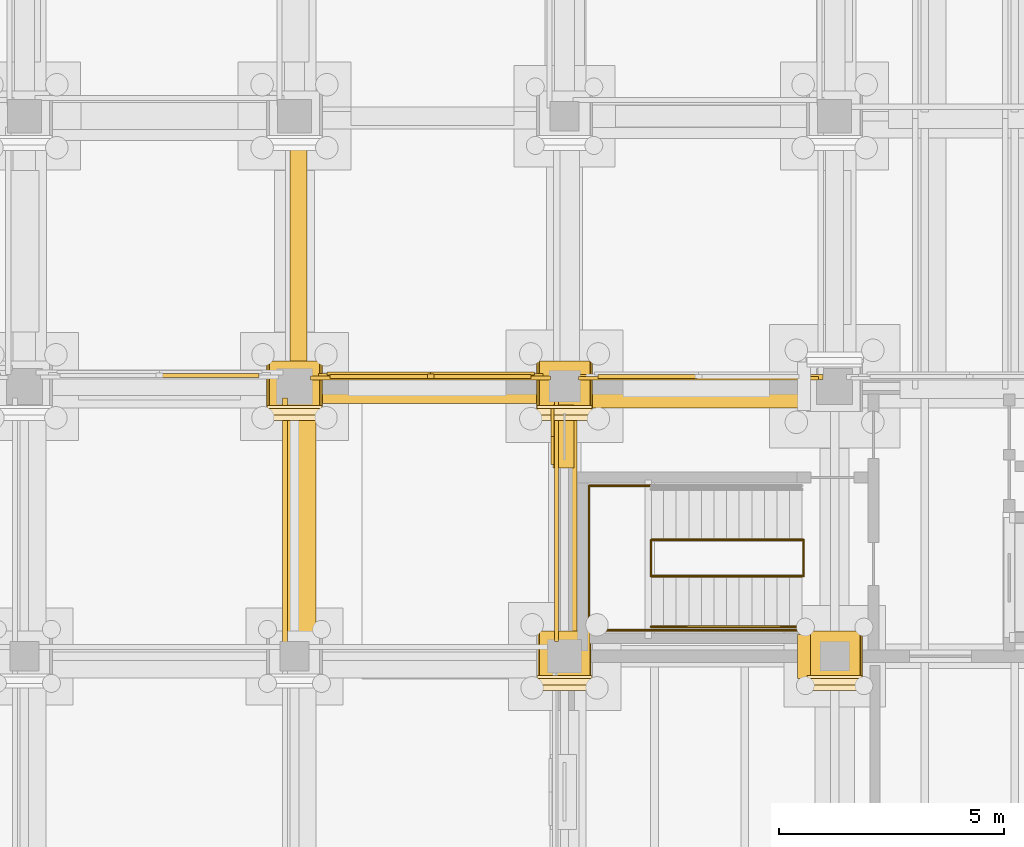
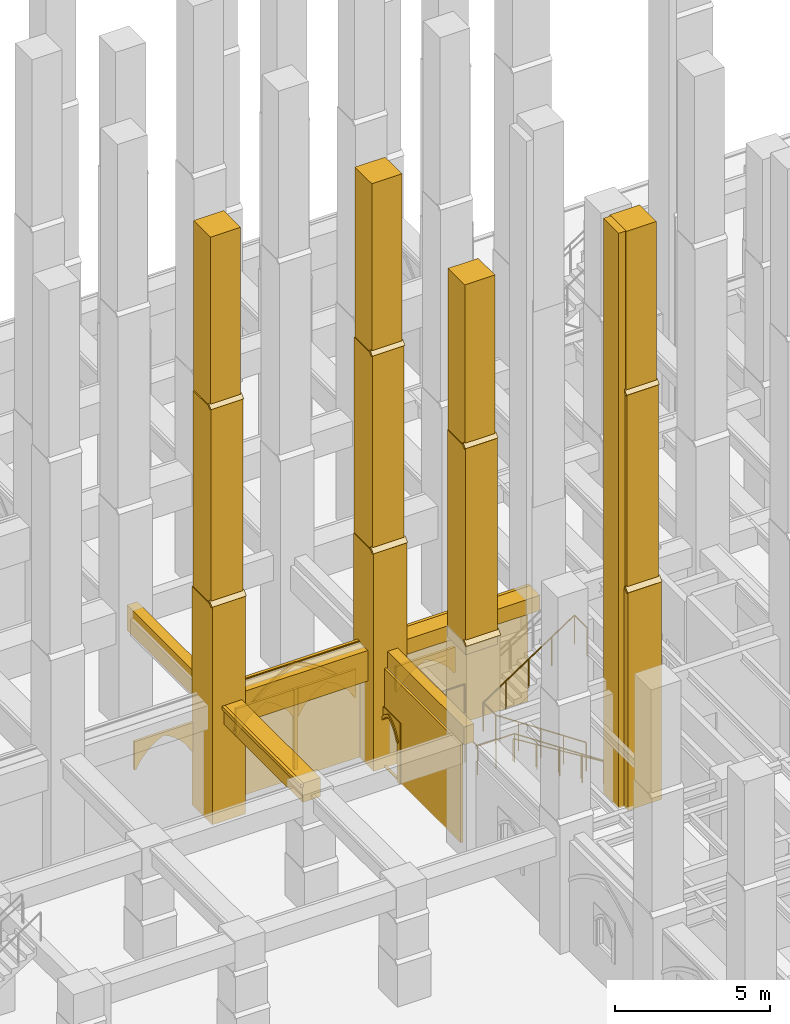
# One storey, part 93 of 135: 39 coverings, 4 railings.
"""IFC4 building model written with IfcOpenShell, lengths in metres."""

from ifc_helpers import new_model, si_unit, direction, frame, origin, origin_2d, place, context, subcontext, project, spatial, polyline, rectangle, circle, outline, extrude, material, type_object, element, save


model = new_model("IFC4")

# Units and contexts
model_context = context("Model", 3, precision=1e-05, world=origin(), true_north=direction((0.0, 1.0)))
body_context = subcontext(model_context, "Body", "Model", "MODEL_VIEW")
ifc_project = project(units=[si_unit("LENGTHUNIT", "METRE"), si_unit("AREAUNIT", "SQUARE_METRE"), si_unit("VOLUMEUNIT", "CUBIC_METRE"), si_unit("PLANEANGLEUNIT", "RADIAN"), si_unit("MASSUNIT", "GRAM", prefix="KILO")], contexts=[model_context])

# Site, building, storey
site_placement = place(None, origin())
site = spatial("IfcSite", under=ifc_project, at=site_placement, CompositionType="ELEMENT")
building_placement = place(site_placement, origin())
building = spatial("IfcBuilding", under=site, at=building_placement, Name="Cumevento Cable Car Station", CompositionType="ELEMENT")
storey_placement = place(building_placement, origin())
storey = spatial("IfcBuildingStorey", under=building, at=storey_placement, Name="L01", CompositionType="ELEMENT", Elevation=0.0)

# Railings
ifc_material_1 = material(Name="Painted Galvanised Architectural Steel", Category="steel")
railing_type_1 = type_object("IfcRailingType", Name="Stair Guardrail GR-S115", PredefinedType="GUARDRAIL", material=ifc_material_1)
railing_1_placement = place(storey_placement, frame((63.280029296875, 40.780029296875, 0.0)))
element("IfcRailing", 1, at=railing_1_placement, inside=storey, type_object=railing_type_1, Name="Stair Well Inner Guardrail ST-01-L01", PredefinedType="GUARDRAIL", context=body_context, shape_type="SweptSolid", body=[
    extrude(circle(Radius=0.02392578125, at=origin_2d()), frame((0.0, 0.0, 1.1259765625), z_axis=(-0.830915400975, 0.0, 0.556398774641), x_axis=(0.0, -1.0, 0.0)), (0.0, 0.0, 1.0), 4.0439453125),
    extrude(circle(Radius=0.02392578125, at=origin_2d()), frame((-3.360107421875, 0.0, 3.3759765625), z_axis=(0.0, 1.0, 0.0), x_axis=(-1.0, 0.0, 0.0)), (0.0, 0.0, 1.0), 0.81005859375),
    extrude(circle(Radius=0.02392578125, at=origin_2d()), frame((-3.360107421875, 0.81005859375, 3.3759765625), z_axis=(0.833193183746, 0.0, 0.552982023722), x_axis=(0.0, 1.0, 0.0)), (0.0, 0.0, 1.0), 4.06884765625),
    extrude(circle(Radius=0.02392578125, at=origin_2d()), frame((0.030029296875, 0.81005859375, 5.6259765625), z_axis=(0.0, -1.0, 0.0), x_axis=(1.0, 0.0, 0.0)), (0.0, 0.0, 1.0), 0.81005859375),
    extrude(circle(Radius=0.02001953125, at=origin_2d()), origin(), (0.0, 0.0, 1.0), 1.101806640625),
    extrude(circle(Radius=0.02001953125, at=origin_2d()), frame((-0.840087890625, 0.0, 0.5625)), (0.0, 0.0, 1.0), 1.101806640625),
    extrude(circle(Radius=0.02001953125, at=origin_2d()), frame((-1.68017578125, 0.0, 1.125)), (0.0, 0.0, 1.0), 1.101806640625),
    extrude(circle(Radius=0.02001953125, at=origin_2d()), frame((-2.52001953125, 0.0, 1.6875)), (0.0, 0.0, 1.0), 1.101806640625),
    extrude(circle(Radius=0.02001953125, at=origin_2d()), frame((-3.360107421875, 0.0, 2.25)), (0.0, 0.0, 1.0), 1.101806640625),
    extrude(circle(Radius=0.02001953125, at=origin_2d()), frame((-3.360107421875, 0.81005859375, 2.25)), (0.0, 0.0, 1.0), 1.101806640625),
    extrude(circle(Radius=0.02001953125, at=origin_2d()), frame((-2.5126953125, 0.81005859375, 2.8125)), (0.0, 0.0, 1.0), 1.101806640625),
    extrude(circle(Radius=0.02001953125, at=origin_2d()), frame((-1.6650390625, 0.81005859375, 3.375)), (0.0, 0.0, 1.0), 1.101806640625),
    extrude(circle(Radius=0.02001953125, at=origin_2d()), frame((-0.8173828125, 0.81005859375, 3.9375)), (0.0, 0.0, 1.0), 1.101806640625),
    extrude(circle(Radius=0.02001953125, at=origin_2d()), frame((0.030029296875, 0.81005859375, 4.5)), (0.0, 0.0, 1.0), 1.101806640625),
    extrude(circle(Radius=0.02001953125, at=origin_2d()), frame((0.030029296875, 0.0, 4.5)), (0.0, 0.0, 1.0), 1.101806640625),
])
railing_2_placement = place(storey_placement, frame((59.919921875, 39.580078125, 2.25)))
element("IfcRailing", 2, at=railing_2_placement, inside=storey, type_object=railing_type_1, Name="Stair Half-Landing Guardrail ST-01-L01", PredefinedType="GUARDRAIL", context=body_context, shape_type="SweptSolid", body=[
    extrude(circle(Radius=0.02392578125, at=origin_2d()), frame((0.0, 0.0, 1.1259765625), z_axis=(-1.0, 0.0, 0.0), x_axis=(0.0, -1.0, 0.0)), (0.0, 0.0, 1.0), 1.3798828125),
    extrude(circle(Radius=0.02392578125, at=origin_2d()), frame((-1.3798828125, 0.0, 1.1259765625), z_axis=(0.0, 1.0, 0.0), x_axis=(-1.0, 0.0, 0.0)), (0.0, 0.0, 1.0), 3.2099609375),
    extrude(circle(Radius=0.02392578125, at=origin_2d()), frame((-1.3798828125, 3.2099609375, 1.1259765625), z_axis=(1.0, 0.0, 0.0), x_axis=(0.0, 1.0, 0.0)), (0.0, 0.0, 1.0), 1.3798828125),
    extrude(circle(Radius=0.02001953125, at=origin_2d()), origin(), (0.0, 0.0, 1.0), 1.101806640625),
    extrude(circle(Radius=0.02001953125, at=origin_2d()), frame((-0.68994140625, 0.0, 0.0)), (0.0, 0.0, 1.0), 1.101806640625),
    extrude(circle(Radius=0.02001953125, at=origin_2d()), frame((-1.3798828125, 0.0, 0.0)), (0.0, 0.0, 1.0), 1.101806640625),
    extrude(circle(Radius=0.02001953125, at=origin_2d()), frame((-1.3798828125, 0.802490234375, 0.0)), (0.0, 0.0, 1.0), 1.101806640625),
    extrude(circle(Radius=0.02001953125, at=origin_2d()), frame((-1.3798828125, 1.60498046875, 0.0)), (0.0, 0.0, 1.0), 1.101806640625),
    extrude(circle(Radius=0.02001953125, at=origin_2d()), frame((-1.3798828125, 2.407470703125, 0.0)), (0.0, 0.0, 1.0), 1.101806640625),
    extrude(circle(Radius=0.02001953125, at=origin_2d()), frame((-1.3798828125, 3.2099609375, 0.0)), (0.0, 0.0, 1.0), 1.101806640625),
    extrude(circle(Radius=0.02001953125, at=origin_2d()), frame((-0.68994140625, 3.2099609375, 0.0)), (0.0, 0.0, 1.0), 1.101806640625),
    extrude(circle(Radius=0.02001953125, at=origin_2d()), frame((0.0, 3.2099609375, 0.0)), (0.0, 0.0, 1.0), 1.101806640625),
])
railing_3_placement = place(storey_placement, frame((63.280029296875, 39.580078125, 0.0)))
element("IfcRailing", 3, at=railing_3_placement, inside=storey, type_object=railing_type_1, Name="Stair Outer Guardrail ST-01-L01 F1", PredefinedType="GUARDRAIL", context=body_context, shape_type="SweptSolid", body=[
    extrude(circle(Radius=0.02392578125, at=origin_2d()), frame((0.0, 0.0, 1.1259765625), z_axis=(-0.830915400975, 0.0, 0.556398774641), x_axis=(0.0, -1.0, 0.0)), (0.0, 0.0, 1.0), 4.0439453125),
    extrude(circle(Radius=0.02001953125, at=origin_2d()), origin(), (0.0, 0.0, 1.0), 1.101806640625),
    extrude(circle(Radius=0.02001953125, at=origin_2d()), frame((-0.840087890625, 0.0, 0.5625)), (0.0, 0.0, 1.0), 1.101806640625),
    extrude(circle(Radius=0.02001953125, at=origin_2d()), frame((-1.68017578125, 0.0, 1.125)), (0.0, 0.0, 1.0), 1.101806640625),
    extrude(circle(Radius=0.02001953125, at=origin_2d()), frame((-2.52001953125, 0.0, 1.6875)), (0.0, 0.0, 1.0), 1.101806640625),
    extrude(circle(Radius=0.02001953125, at=origin_2d()), frame((-3.360107421875, 0.0, 2.25)), (0.0, 0.0, 1.0), 1.101806640625),
])
ifc_material_2 = material(Name="Brushed Stainless Steel Handrail Tube", Category="steel")
railing_type_2 = type_object("IfcRailingType", Name="Stair Handrail HR-090", PredefinedType="HANDRAIL", material=ifc_material_2)
railing_4_placement = place(storey_placement, frame((63.280029296875, 39.659912109375, 0.17626953125)))
element("IfcRailing", 4, at=railing_4_placement, inside=storey, type_object=railing_type_2, Name="Stair Pitch Handrail ST-01-L01 F1", PredefinedType="HANDRAIL", context=body_context, shape_type="SweptSolid", body=[
    extrude(circle(Radius=0.02099609375, at=origin_2d()), frame((0.0, 0.0, 0.87890625), z_axis=(-0.850623216509, 0.0, 0.525775754039), x_axis=(0.0, -1.0, 0.0)), (0.0, 0.0, 1.0), 3.9501953125),
    extrude(circle(Radius=0.01611328125, at=origin_2d()), origin(), (0.0, 0.0, 1.0), 0.85791015625),
    extrude(circle(Radius=0.01611328125, at=origin_2d()), frame((-0.840087890625, 0.0, 0.519287109375)), (0.0, 0.0, 1.0), 0.85791015625),
    extrude(circle(Radius=0.01611328125, at=origin_2d()), frame((-1.68017578125, 0.0, 1.03857421875)), (0.0, 0.0, 1.0), 0.85791015625),
    extrude(circle(Radius=0.01611328125, at=origin_2d()), frame((-2.52001953125, 0.0, 1.5576171875)), (0.0, 0.0, 1.0), 0.85791015625),
    extrude(circle(Radius=0.01611328125, at=origin_2d()), frame((-3.360107421875, 0.0, 2.076904296875)), (0.0, 0.0, 1.0), 0.85791015625),
])

# Coverings
ifc_material_3 = material(Name="Gnaisse Facoidal Stone Ashlar 85 MPa", Category="masonry")
covering_type = type_object("IfcCoveringType", Name="Gnaisse Ashlar Cladding CV-CL01", PredefinedType="CLADDING", material=ifc_material_3)
covering_1_placement = place(storey_placement, frame((52.0, 44.909912109375, -0.06005859375), z_axis=(0.0, 0.0, 1.0), x_axis=(1.0, 0.0, 0.0)))
element("IfcCovering", 5, at=covering_1_placement, inside=storey, type_object=covering_type, Name="Stepped Gothic Stone Buttress Tier 1 bt:52.0:45.0", PredefinedType="CLADDING", context=body_context, shape_type="SweptSolid", body=[
    extrude(rectangle(XDim=1.239990234375, YDim=1.300048828125, at=origin_2d()), origin(), (0.0, 0.0, 1.0), 8.595703125),
])
covering_2_placement = place(storey_placement, frame((51.360107421875, 44.239990234375, 8.515625), z_axis=(0.0, -0.711135781079, 0.703054692658), x_axis=(1.0, 0.0, 0.0)))
element("IfcCovering", 6, at=covering_2_placement, inside=storey, type_object=covering_type, Name="Gothic Buttress Sloped Stone Weathering 1 bt:52.0:45.0", PredefinedType="CLADDING", context=body_context, shape_type="SweptSolid", body=[
    extrude(outline(polyline([(0.0, 0.0), (1.27978515625, 0.0), (1.27978515625, 0.24169083397703695), (0.0, 0.24169083397703695), (0.0, 0.0)])), origin(), (0.0, 0.0, -1.0), 0.090087890625),
])
covering_3_placement = place(storey_placement, frame((52.0, 44.969970703125, 8.0830078125), z_axis=(0.0, 0.0, 1.0), x_axis=(1.0, 0.0, 0.0)))
element("IfcCovering", 7, at=covering_3_placement, inside=storey, type_object=covering_type, Name="Stepped Gothic Stone Buttress Tier 2 bt:52.0:45.0", PredefinedType="CLADDING", context=body_context, shape_type="SweptSolid", body=[
    extrude(rectangle(XDim=1.179931640625, YDim=1.179931640625, at=origin_2d()), origin(), (0.0, 0.0, 1.0), 8.143310546875),
])
covering_4_placement = place(storey_placement, frame((51.389892578125, 44.360107421875, 16.206298828125), z_axis=(0.0, -0.714474823669, 0.699661151089), x_axis=(1.0, 0.0, 0.0)))
element("IfcCovering", 8, at=covering_4_placement, inside=storey, type_object=covering_type, Name="Gothic Buttress Sloped Stone Weathering 2 bt:52.0:45.0", PredefinedType="CLADDING", context=body_context, shape_type="SweptSolid", body=[
    extrude(outline(polyline([(0.0, 0.0), (1.22021484375, 0.0), (1.22021484375, 0.21424991728737655), (0.0, 0.21424991728737655), (0.0, 0.0)])), origin(), (0.0, 0.0, -1.0), 0.090087890625),
])
covering_5_placement = place(storey_placement, frame((52.0, 45.02001953125, 15.77392578125), z_axis=(0.0, 0.0, 1.0), x_axis=(1.0, 0.0, 0.0)))
element("IfcCovering", 9, at=covering_5_placement, inside=storey, type_object=covering_type, Name="Stepped Gothic Stone Buttress Tier 3 bt:52.0:45.0", PredefinedType="CLADDING", context=body_context, shape_type="SweptSolid", body=[
    extrude(rectangle(XDim=1.1201171875, YDim=1.080078125, at=origin_2d()), origin(), (0.0, 0.0, 1.0), 7.1259765625),
])
covering_6_placement = place(storey_placement, frame((57.360107421875, 38.239990234375, 8.515625), z_axis=(0.0, -0.711135781079, 0.703054692658), x_axis=(1.0, 0.0, 0.0)))
element("IfcCovering", 10, at=covering_6_placement, inside=storey, type_object=covering_type, Name="Gothic Buttress Sloped Stone Weathering 1 bt:58.0:39.0", PredefinedType="CLADDING", context=body_context, shape_type="SweptSolid", body=[
    extrude(outline(polyline([(0.0, 0.0), (1.27978515625, 0.0), (1.27978515625, 0.24169083397703695), (0.0, 0.24169083397703695), (0.0, 0.0)])), origin(), (0.0, 0.0, -1.0), 0.090087890625),
])
covering_7_placement = place(storey_placement, frame((58.0, 38.969970703125, 8.0830078125), z_axis=(0.0, 0.0, 1.0), x_axis=(1.0, 0.0, 0.0)))
element("IfcCovering", 11, at=covering_7_placement, inside=storey, type_object=covering_type, Name="Stepped Gothic Stone Buttress Tier 2 bt:58.0:39.0", PredefinedType="CLADDING", context=body_context, shape_type="SweptSolid", body=[
    extrude(rectangle(XDim=1.179931640625, YDim=1.179931640625, at=origin_2d()), origin(), (0.0, 0.0, 1.0), 8.143310546875),
])
covering_8_placement = place(storey_placement, frame((57.389892578125, 38.360107421875, 16.206298828125), z_axis=(0.0, -0.714474823669, 0.699661151089), x_axis=(1.0, 0.0, 0.0)))
element("IfcCovering", 12, at=covering_8_placement, inside=storey, type_object=covering_type, Name="Gothic Buttress Sloped Stone Weathering 2 bt:58.0:39.0", PredefinedType="CLADDING", context=body_context, shape_type="SweptSolid", body=[
    extrude(outline(polyline([(0.0, 0.0), (1.22021484375, 0.0), (1.22021484375, 0.21424991728737655), (0.0, 0.21424991728737655), (0.0, 0.0)])), origin(), (0.0, 0.0, -1.0), 0.090087890625),
])
covering_9_placement = place(storey_placement, frame((58.0, 39.02001953125, 15.77392578125), z_axis=(0.0, 0.0, 1.0), x_axis=(1.0, 0.0, 0.0)))
element("IfcCovering", 13, at=covering_9_placement, inside=storey, type_object=covering_type, Name="Stepped Gothic Stone Buttress Tier 3 bt:58.0:39.0", PredefinedType="CLADDING", context=body_context, shape_type="SweptSolid", body=[
    extrude(rectangle(XDim=1.1201171875, YDim=1.080078125, at=origin_2d()), origin(), (0.0, 0.0, 1.0), 6.785888671875),
])
covering_10_placement = place(storey_placement, frame((58.0, 44.909912109375, -0.06005859375), z_axis=(0.0, 0.0, 1.0), x_axis=(1.0, 0.0, 0.0)))
element("IfcCovering", 14, at=covering_10_placement, inside=storey, type_object=covering_type, Name="Stepped Gothic Stone Buttress Tier 1 bt:58.0:45.0", PredefinedType="CLADDING", context=body_context, shape_type="SweptSolid", body=[
    extrude(rectangle(XDim=1.239990234375, YDim=1.300048828125, at=origin_2d()), origin(), (0.0, 0.0, 1.0), 8.595703125),
])
covering_11_placement = place(storey_placement, frame((57.360107421875, 44.239990234375, 8.515625), z_axis=(0.0, -0.711135781079, 0.703054692658), x_axis=(1.0, 0.0, 0.0)))
element("IfcCovering", 15, at=covering_11_placement, inside=storey, type_object=covering_type, Name="Gothic Buttress Sloped Stone Weathering 1 bt:58.0:45.0", PredefinedType="CLADDING", context=body_context, shape_type="SweptSolid", body=[
    extrude(outline(polyline([(0.0, 0.0), (1.27978515625, 0.0), (1.27978515625, 0.24169083397703695), (0.0, 0.24169083397703695), (0.0, 0.0)])), origin(), (0.0, 0.0, -1.0), 0.090087890625),
])
covering_12_placement = place(storey_placement, frame((58.0, 44.969970703125, 8.0830078125), z_axis=(0.0, 0.0, 1.0), x_axis=(1.0, 0.0, 0.0)))
element("IfcCovering", 16, at=covering_12_placement, inside=storey, type_object=covering_type, Name="Stepped Gothic Stone Buttress Tier 2 bt:58.0:45.0", PredefinedType="CLADDING", context=body_context, shape_type="SweptSolid", body=[
    extrude(rectangle(XDim=1.179931640625, YDim=1.179931640625, at=origin_2d()), origin(), (0.0, 0.0, 1.0), 8.143310546875),
])
covering_13_placement = place(storey_placement, frame((57.389892578125, 44.360107421875, 16.206298828125), z_axis=(0.0, -0.714474823669, 0.699661151089), x_axis=(1.0, 0.0, 0.0)))
element("IfcCovering", 17, at=covering_13_placement, inside=storey, type_object=covering_type, Name="Gothic Buttress Sloped Stone Weathering 2 bt:58.0:45.0", PredefinedType="CLADDING", context=body_context, shape_type="SweptSolid", body=[
    extrude(outline(polyline([(0.0, 0.0), (1.22021484375, 0.0), (1.22021484375, 0.21424991728737655), (0.0, 0.21424991728737655), (0.0, 0.0)])), origin(), (0.0, 0.0, -1.0), 0.090087890625),
])
covering_14_placement = place(storey_placement, frame((58.0, 45.02001953125, 15.77392578125), z_axis=(0.0, 0.0, 1.0), x_axis=(1.0, 0.0, 0.0)))
element("IfcCovering", 18, at=covering_14_placement, inside=storey, type_object=covering_type, Name="Stepped Gothic Stone Buttress Tier 3 bt:58.0:45.0", PredefinedType="CLADDING", context=body_context, shape_type="SweptSolid", body=[
    extrude(rectangle(XDim=1.1201171875, YDim=1.080078125, at=origin_2d()), origin(), (0.0, 0.0, 1.0), 7.1259765625),
])
covering_15_placement = place(storey_placement, frame((64.0, 38.909912109375, -0.06005859375), z_axis=(0.0, 0.0, 1.0), x_axis=(1.0, 0.0, 0.0)))
element("IfcCovering", 19, at=covering_15_placement, inside=storey, type_object=covering_type, Name="Stepped Gothic Stone Buttress Tier 1 bt:64.0:39.0", PredefinedType="CLADDING", context=body_context, shape_type="SweptSolid", body=[
    extrude(rectangle(XDim=1.239990234375, YDim=1.300048828125, at=origin_2d()), origin(), (0.0, 0.0, 1.0), 8.595703125),
])
covering_16_placement = place(storey_placement, frame((63.360107421875, 38.239990234375, 8.515625), z_axis=(0.0, -0.711135781079, 0.703054692658), x_axis=(1.0, 0.0, 0.0)))
element("IfcCovering", 20, at=covering_16_placement, inside=storey, type_object=covering_type, Name="Gothic Buttress Sloped Stone Weathering 1 bt:64.0:39.0", PredefinedType="CLADDING", context=body_context, shape_type="SweptSolid", body=[
    extrude(outline(polyline([(0.0, 0.0), (1.27978515625, 0.0), (1.27978515625, 0.24169083397703695), (0.0, 0.24169083397703695), (0.0, 0.0)])), origin(), (0.0, 0.0, -1.0), 0.090087890625),
])
covering_17_placement = place(storey_placement, frame((64.0, 38.969970703125, 8.0830078125), z_axis=(0.0, 0.0, 1.0), x_axis=(1.0, 0.0, 0.0)))
element("IfcCovering", 21, at=covering_17_placement, inside=storey, type_object=covering_type, Name="Stepped Gothic Stone Buttress Tier 2 bt:64.0:39.0", PredefinedType="CLADDING", context=body_context, shape_type="SweptSolid", body=[
    extrude(rectangle(XDim=1.179931640625, YDim=1.179931640625, at=origin_2d()), origin(), (0.0, 0.0, 1.0), 8.143310546875),
])
covering_18_placement = place(storey_placement, frame((63.389892578125, 38.360107421875, 16.206298828125), z_axis=(0.0, -0.714474823669, 0.699661151089), x_axis=(1.0, 0.0, 0.0)))
element("IfcCovering", 22, at=covering_18_placement, inside=storey, type_object=covering_type, Name="Gothic Buttress Sloped Stone Weathering 2 bt:64.0:39.0", PredefinedType="CLADDING", context=body_context, shape_type="SweptSolid", body=[
    extrude(outline(polyline([(0.0, 0.0), (1.22021484375, 0.0), (1.22021484375, 0.21424991728737655), (0.0, 0.21424991728737655), (0.0, 0.0)])), origin(), (0.0, 0.0, -1.0), 0.090087890625),
])
covering_19_placement = place(storey_placement, frame((64.0, 39.02001953125, 15.77392578125), z_axis=(0.0, 0.0, 1.0), x_axis=(1.0, 0.0, 0.0)))
element("IfcCovering", 23, at=covering_19_placement, inside=storey, type_object=covering_type, Name="Stepped Gothic Stone Buttress Tier 3 bt:64.0:39.0", PredefinedType="CLADDING", context=body_context, shape_type="SweptSolid", body=[
    extrude(rectangle(XDim=1.1201171875, YDim=1.080078125, at=origin_2d()), origin(), (0.0, 0.0, 1.0), 6.785888671875),
])
covering_20_placement = place(storey_placement, frame((63.320068359375, 39.0, -0.06005859375), z_axis=(0.0, 0.0, 1.0), x_axis=(1.0, 0.0, 0.0)))
element("IfcCovering", 24, at=covering_20_placement, inside=storey, type_object=covering_type, Name="Corner Buttress Stone Return (64.0,39.0)", PredefinedType="CLADDING", context=body_context, shape_type="SweptSolid", body=[
    extrude(rectangle(XDim=0.280029296875, YDim=0.97998046875, at=origin_2d()), origin(), (0.0, 0.0, 1.0), 22.6201171875),
])
covering_21_placement = place(storey_placement, frame((60.97509765625, 44.850830078125, 3.89794921875), z_axis=(0.0, 0.0, 1.0), x_axis=(1.0, 0.0, 0.0)))
element("IfcCovering", 25, at=covering_21_placement, inside=storey, type_object=covering_type, Name="Gothic Stone Spandrel Stringcourse sc:0040", PredefinedType="CLADDING", context=body_context, shape_type="SweptSolid", body=[
    extrude(rectangle(XDim=5.489990234375, YDim=0.66162109375, at=origin_2d()), origin(), (0.0, 0.0, 1.0), 0.592041015625),
])
covering_22_placement = place(storey_placement, frame((60.97509765625, 45.208984375, 4.360107421875), z_axis=(0.0, 0.0, 1.0), x_axis=(1.0, 0.0, 0.0)))
element("IfcCovering", 26, at=covering_22_placement, inside=storey, type_object=covering_type, Name="Gothic Cornice Dripstone Lip sc:0040", PredefinedType="CLADDING", context=body_context, shape_type="SweptSolid", body=[
    extrude(rectangle(XDim=5.530029296875, YDim=0.114990234375, at=origin_2d()), origin(), (0.0, 0.0, 1.0), 0.1298828125),
])
covering_23_placement = place(storey_placement, frame((58.090087890625, 42.012451171875, 3.77294921875), z_axis=(0.0, 0.0, 1.0), x_axis=(0.0, 1.0, 0.0)))
element("IfcCovering", 27, at=covering_23_placement, inside=storey, type_object=covering_type, Name="Gothic Stone Spandrel Stringcourse sc:0042", PredefinedType="CLADDING", context=body_context, shape_type="SweptSolid", body=[
    extrude(rectangle(XDim=5.3349609375, YDim=0.3798828125, at=origin_2d()), origin(), (0.0, 0.0, 1.0), 0.70703125),
])
covering_24_placement = place(storey_placement, frame((52.090087890625, 48.012451171875, 3.5400390625), z_axis=(0.0, 0.0, 1.0), x_axis=(0.0, 1.0, 0.0)))
element("IfcCovering", 28, at=covering_24_placement, inside=storey, type_object=covering_type, Name="Gothic Stone Spandrel Stringcourse sc:0101", PredefinedType="CLADDING", context=body_context, shape_type="SweptSolid", body=[
    extrude(rectangle(XDim=5.284912109375, YDim=0.3798828125, at=origin_2d()), origin(), (0.0, 0.0, 1.0), 0.989990234375),
])
covering_25_placement = place(storey_placement, frame((55.02490234375, 44.860107421875, 3.27978515625), z_axis=(0.0, 0.0, 1.0), x_axis=(1.0, 0.0, 0.0)))
element("IfcCovering", 29, at=covering_25_placement, inside=storey, type_object=covering_type, Name="Gothic Stone Spandrel Stringcourse sc:0109", PredefinedType="CLADDING", context=body_context, shape_type="SweptSolid", body=[
    extrude(rectangle(XDim=5.31005859375, YDim=0.47998046875, at=origin_2d()), origin(), (0.0, 0.0, 1.0), 1.199951171875),
])
covering_26_placement = place(storey_placement, frame((52.14990234375, 41.96240234375, 3.73291015625), z_axis=(0.0, 0.0, 1.0), x_axis=(0.0, 1.0, 0.0)))
element("IfcCovering", 30, at=covering_26_placement, inside=storey, type_object=covering_type, Name="Gothic Stone Spandrel Stringcourse sc:0835", PredefinedType="CLADDING", context=body_context, shape_type="SweptSolid", body=[
    extrude(rectangle(XDim=5.514892578125, YDim=0.659912109375, at=origin_2d()), origin(), (0.0, 0.0, 1.0), 0.7470703125),
])
covering_27_placement = place(storey_placement, frame((51.79248046875, 41.96240234375, 4.35009765625), z_axis=(0.0, 0.0, 1.0), x_axis=(0.0, 1.0, 0.0)))
element("IfcCovering", 31, at=covering_27_placement, inside=storey, type_object=covering_type, Name="Gothic Cornice Dripstone Lip sc:0835", PredefinedType="CLADDING", context=body_context, shape_type="SweptSolid", body=[
    extrude(rectangle(XDim=5.554931640625, YDim=0.114990234375, at=origin_2d()), origin(), (0.0, 0.0, 1.0), 0.1298828125),
])
covering_28_placement = place(storey_placement, frame((49.044921875, 45.0, 2.340087890625), z_axis=(0.0, 0.0, 1.0), x_axis=(1.0, 0.0, 0.0)))
element("IfcCovering", 32, at=covering_28_placement, inside=storey, type_object=covering_type, Name="Gothic Ogival Pointed-Arch Stone Spandrel blind_ogival:0015:sub:1", PredefinedType="CLADDING", context=body_context, shape_type="SweptSolid", body=[
    extrude(outline(polyline([(-0.02001953125, 0.0), (-0.02001953125, 1.115966796875), (2.1650390625, 1.115966796875), (2.1650390625, 0.0), (2.10498046875, 0.0), (1.986083984375, 0.213134765625), (1.843017578125, 0.41064453125), (1.677490234375, 0.590087890625), (1.492431640625, 0.748779296875), (1.289794921875, 0.884765625), (1.072509765625, 0.99609375), (0.855224609375, 0.884765625), (0.652587890625, 0.748779296875), (0.467529296875, 0.590087890625), (0.302001953125, 0.41064453125), (0.158935546875, 0.213134765625), (0.0400390625, 0.0), (-0.02001953125, 0.0)])), frame((0.0, 0.2890625, 0.0), z_axis=(0.0, -1.0, 0.0), x_axis=(1.0, 0.0, 0.0)), (0.0, 0.0, 1.0), 0.090087890625),
])
covering_29_placement = place(storey_placement, frame((52.39990234375, 45.0, 0.0), z_axis=(0.0, 0.0, 1.0), x_axis=(1.0, 0.0, 0.0)))
element("IfcCovering", 33, at=covering_29_placement, inside=storey, type_object=covering_type, Name="Exterior Gnaisse Stone Wall Ashlar #31", PredefinedType="CLADDING", context=body_context, shape_type="SweptSolid", body=[
    extrude(outline(polyline([(-0.0400390625, -0.02001953125), (5.2900390625, -0.02001953125), (5.2900390625, 4.52001953125), (-0.0400390625, 4.52001953125), (-0.0400390625, -0.02001953125)])), frame((0.0, 0.22509765625, 0.0), z_axis=(0.0, -1.0, 0.0), x_axis=(1.0, 0.0, 0.0)), (0.0, 0.0, 1.0), 0.0849609375),
])
placement = place(storey_placement, frame((52.580078125, 45.0, 0.300048828125), z_axis=(0.0, 0.0, 1.0), x_axis=(1.0, 0.0, 0.0)))
element("IfcCovering", 34, at=placement, inside=storey, type_object=covering_type, Name="Gothic Ogival Pointed-Arch Stone Spandrel blind_ogival:0031", PredefinedType="CLADDING", context=body_context, shape_type="SweptSolid", body=[
    extrude(outline(polyline([(-0.050048828125, 0.0), (-0.050048828125, 4.239990234375), (4.93994140625, 4.239990234375), (4.93994140625, 0.0), (4.6298828125, 0.0), (4.6298828125, 2.219970703125), (4.394287109375, 2.556884765625), (4.12939453125, 2.871337890625), (3.8369140625, 3.160400390625), (3.51953125, 3.421630859375), (3.179931640625, 3.6533203125), (2.82080078125, 3.853271484375), (2.445068359375, 4.02001953125), (2.069091796875, 3.853271484375), (1.7099609375, 3.6533203125), (1.370361328125, 3.421630859375), (1.052978515625, 3.160400390625), (0.760498046875, 2.871337890625), (0.49560546875, 2.556884765625), (0.260009765625, 2.219970703125), (0.260009765625, 0.0), (-0.050048828125, 0.0)])), frame((0.0, 0.280029296875, 0.0), z_axis=(0.0, -1.0, 0.0), x_axis=(1.0, 0.0, 0.0)), (0.0, 0.0, 1.0), 0.110107421875),
])
covering_31_placement = place(storey_placement, frame((52.580078125, 45.0, 2.52001953125), z_axis=(0.0, 0.0, 1.0), x_axis=(1.0, 0.0, 0.0)))
element("IfcCovering", 35, at=covering_31_placement, inside=storey, type_object=covering_type, Name="Gothic Pointed Archivolt Hood Moulding blind_ogival:0031", PredefinedType="CLADDING", context=body_context, shape_type="SweptSolid", body=[
    extrude(outline(polyline([(0.260009765625, 0.0), (0.49560546875, 0.3369140625), (0.760498046875, 0.6513671875), (1.052978515625, 0.9404296875), (1.370361328125, 1.20166015625), (1.7099609375, 1.433349609375), (2.069091796875, 1.63330078125), (2.445068359375, 1.800048828125), (2.82080078125, 1.63330078125), (3.179931640625, 1.433349609375), (3.51953125, 1.20166015625), (3.8369140625, 0.9404296875), (4.12939453125, 0.6513671875), (4.394287109375, 0.3369140625), (4.6298828125, 0.0), (4.7509765625, 0.0), (4.506103515625, 0.3642578125), (4.228759765625, 0.70458984375), (3.921142578125, 1.017822265625), (3.5859375, 1.301513671875), (3.226318359375, 1.552978515625), (2.8447265625, 1.77001953125), (2.445068359375, 1.951171875), (2.045166015625, 1.77001953125), (1.66357421875, 1.552978515625), (1.303955078125, 1.301513671875), (0.96875, 1.017822265625), (0.6611328125, 0.70458984375), (0.3837890625, 0.3642578125), (0.138916015625, 0.0), (0.260009765625, 0.0)])), frame((0.0, 0.322021484375, 0.0), z_axis=(0.0, -1.0, 0.0), x_axis=(1.0, 0.0, 0.0)), (0.0, 0.0, 1.0), 0.06689453125),
])
element("IfcCovering", 36, at=placement, inside=storey, type_object=covering_type, Name="Gothic Bifora Stone Colonnette blind_ogival:0031 #1", PredefinedType="CLADDING", context=body_context, shape_type="SweptSolid", body=[
    extrude(outline(polyline([(2.3701171875, -0.02001953125), (2.52001953125, -0.02001953125), (2.52001953125, 3.156005859375), (2.3701171875, 3.156005859375), (2.3701171875, -0.02001953125)])), frame((0.0, 0.26806640625, 0.0), z_axis=(0.0, -1.0, 0.0), x_axis=(1.0, 0.0, 0.0)), (0.0, 0.0, 1.0), 0.094970703125),
])
for number, where, z_axis, x_axis, name in (
    (37, (52.81005859375, 45.0, 2.340087890625), (0.0, 0.0, 1.0), (1.0, 0.0, 0.0), "Gothic Ogival Pointed-Arch Stone Spandrel blind_ogival:0031:sub:0"),
    (38, (55.070068359375, 45.0, 2.340087890625), (0.0, 0.0, 1.0), (1.0, 0.0, 0.0), "Gothic Ogival Pointed-Arch Stone Spandrel blind_ogival:0031:sub:1"),
):
    element("IfcCovering", number, at=place(storey_placement, frame(where, z_axis=z_axis, x_axis=x_axis)), inside=storey, type_object=covering_type, Name=name, PredefinedType="CLADDING", context=body_context, shape_type="SweptSolid", body=[
        extrude(outline(polyline([(-0.02001953125, 0.0), (-0.02001953125, 1.115966796875), (2.18994140625, 1.115966796875), (2.18994140625, 0.0), (2.1298828125, 0.0), (2.008544921875, 0.21337890625), (1.863037109375, 0.4111328125), (1.695556640625, 0.59033203125), (1.50830078125, 0.7490234375), (1.3037109375, 0.885009765625), (1.0849609375, 0.99609375), (0.8662109375, 0.885009765625), (0.66162109375, 0.7490234375), (0.474365234375, 0.59033203125), (0.306884765625, 0.4111328125), (0.161376953125, 0.21337890625), (0.0400390625, 0.0), (-0.02001953125, 0.0)])), frame((0.0, 0.263916015625, 0.0), z_axis=(0.0, -1.0, 0.0), x_axis=(1.0, 0.0, 0.0)), (0.0, 0.0, 1.0), 0.090087890625),
    ])
covering_33_placement = place(storey_placement, frame((58.35009765625, 45.0, 0.0), z_axis=(0.0, 0.0, 1.0), x_axis=(1.0, 0.0, 0.0)))
element("IfcCovering", 39, at=covering_33_placement, inside=storey, type_object=covering_type, Name="Exterior Gnaisse Stone Wall Ashlar #136", PredefinedType="CLADDING", context=body_context, shape_type="SweptSolid", body=[
    extrude(outline(polyline([(-0.0400390625, -0.02001953125), (5.2900390625, -0.02001953125), (5.2900390625, 3.97802734375), (-0.0400390625, 3.97802734375), (-0.0400390625, -0.02001953125)])), frame((0.0, 0.222412109375, 0.0), z_axis=(0.0, -1.0, 0.0), x_axis=(1.0, 0.0, 0.0)), (0.0, 0.0, 1.0), 0.0849609375),
])
covering_34_placement = place(storey_placement, frame((58.760009765625, 45.0, 2.03662109375), z_axis=(0.0, 0.0, 1.0), x_axis=(1.0, 0.0, 0.0)))
element("IfcCovering", 40, at=covering_34_placement, inside=storey, type_object=covering_type, Name="Gothic Ogival Pointed-Arch Stone Spandrel blind_ogival:0136:sub:0", PredefinedType="CLADDING", context=body_context, shape_type="SweptSolid", body=[
    extrude(outline(polyline([(-0.02001953125, 0.0), (-0.02001953125, 0.991943359375), (2.18994140625, 0.991943359375), (2.18994140625, 0.0), (2.1298828125, 0.0), (1.998046875, 0.189208984375), (1.8466796875, 0.36328125), (1.677734375, 0.520263671875), (1.4931640625, 0.658447265625), (1.294677734375, 0.776123046875), (1.0849609375, 0.8720703125), (0.875244140625, 0.776123046875), (0.6767578125, 0.658447265625), (0.4921875, 0.520263671875), (0.3232421875, 0.36328125), (0.171875, 0.189208984375), (0.0400390625, 0.0), (-0.02001953125, 0.0)])), frame((0.0, 0.261474609375, 0.0), z_axis=(0.0, -1.0, 0.0), x_axis=(1.0, 0.0, 0.0)), (0.0, 0.0, 1.0), 0.090087890625),
])
covering_35_placement = place(storey_placement, frame((58.0, 39.375, 0.0), z_axis=(0.0, 0.0, 1.0), x_axis=(0.0, 1.0, 0.0)))
element("IfcCovering", 41, at=covering_35_placement, inside=storey, type_object=covering_type, Name="Exterior Gnaisse Stone Wall Ashlar #138", PredefinedType="CLADDING", context=body_context, shape_type="SweptSolid", body=[
    extrude(outline(polyline([(-0.0400390625, -0.02001953125), (5.31494140625, -0.02001953125), (5.31494140625, 3.85302734375), (-0.0400390625, 3.85302734375), (-0.0400390625, -0.02001953125)]), holes=[polyline([(3.9951171875, 0.02001953125), (5.02490234375, 0.02001953125), (5.02490234375, 2.1298828125), (3.9951171875, 2.1298828125), (3.9951171875, 0.02001953125)])]), frame((0.0, 0.222412109375, 0.0), z_axis=(0.0, -1.0, 0.0), x_axis=(1.0, 0.0, 0.0)), (0.0, 0.0, 1.0), 0.0849609375),
])
covering_36_placement = place(storey_placement, frame((58.0, 43.219970703125, -0.050048828125), z_axis=(0.0, 0.0, 1.0), x_axis=(0.0, 1.0, 0.0)))
element("IfcCovering", 42, at=covering_36_placement, inside=storey, type_object=covering_type, Name="Gothic Ogival Pointed-Arch Stone Spandrel op_ogival:0138:1", PredefinedType="CLADDING", context=body_context, shape_type="SweptSolid", body=[
    extrude(outline(polyline([(-0.0400390625, 0.0), (-0.0400390625, 2.409912109375), (1.3701171875, 2.409912109375), (1.3701171875, 0.0), (1.18994140625, 0.0), (1.18994140625, 1.5908203125), (1.149658203125, 1.705322265625), (1.09619140625, 1.814453125), (1.030517578125, 1.91650390625), (0.95361328125, 2.01025390625), (0.8662109375, 2.094482421875), (0.76953125, 2.168212890625), (0.6650390625, 2.22998046875), (0.560546875, 2.168212890625), (0.4638671875, 2.094482421875), (0.37646484375, 2.01025390625), (0.299560546875, 1.91650390625), (0.23388671875, 1.814453125), (0.180419921875, 1.705322265625), (0.139892578125, 1.5908203125), (0.139892578125, 0.0), (-0.0400390625, 0.0)])), frame((0.0, 0.260498046875, 0.0), z_axis=(0.0, -1.0, 0.0), x_axis=(1.0, 0.0, 0.0)), (0.0, 0.0, 1.0), 0.47509765625),
])
covering_37_placement = place(storey_placement, frame((58.0, 43.219970703125, 1.540771484375), z_axis=(0.0, 0.0, 1.0), x_axis=(0.0, 1.0, 0.0)))
element("IfcCovering", 43, at=covering_37_placement, inside=storey, type_object=covering_type, Name="Gothic Pointed Archivolt Hood Moulding op_ogival:0138:1", PredefinedType="CLADDING", context=body_context, shape_type="SweptSolid", body=[
    extrude(outline(polyline([(0.139892578125, 0.0), (0.180419921875, 0.114501953125), (0.23388671875, 0.2236328125), (0.299560546875, 0.32568359375), (0.37646484375, 0.41943359375), (0.4638671875, 0.503662109375), (0.560546875, 0.577392578125), (0.6650390625, 0.63916015625), (0.76953125, 0.577392578125), (0.8662109375, 0.503662109375), (0.95361328125, 0.41943359375), (1.030517578125, 0.32568359375), (1.09619140625, 0.2236328125), (1.149658203125, 0.114501953125), (1.18994140625, 0.0), (1.2890625, 0.0), (1.2412109375, 0.136474609375), (1.177978515625, 0.2666015625), (1.10009765625, 0.388671875), (1.00830078125, 0.50048828125), (0.904541015625, 0.60107421875), (0.78955078125, 0.68896484375), (0.6650390625, 0.762939453125), (0.54052734375, 0.68896484375), (0.425537109375, 0.60107421875), (0.32177734375, 0.50048828125), (0.22998046875, 0.388671875), (0.152099609375, 0.2666015625), (0.0888671875, 0.136474609375), (0.041015625, 0.0), (0.139892578125, 0.0)])), frame((0.0, 0.302490234375, 0.0), z_axis=(0.0, -1.0, 0.0), x_axis=(1.0, 0.0, 0.0)), (0.0, 0.0, 1.0), 0.06689453125),
])

save(model, "model.ifc")
